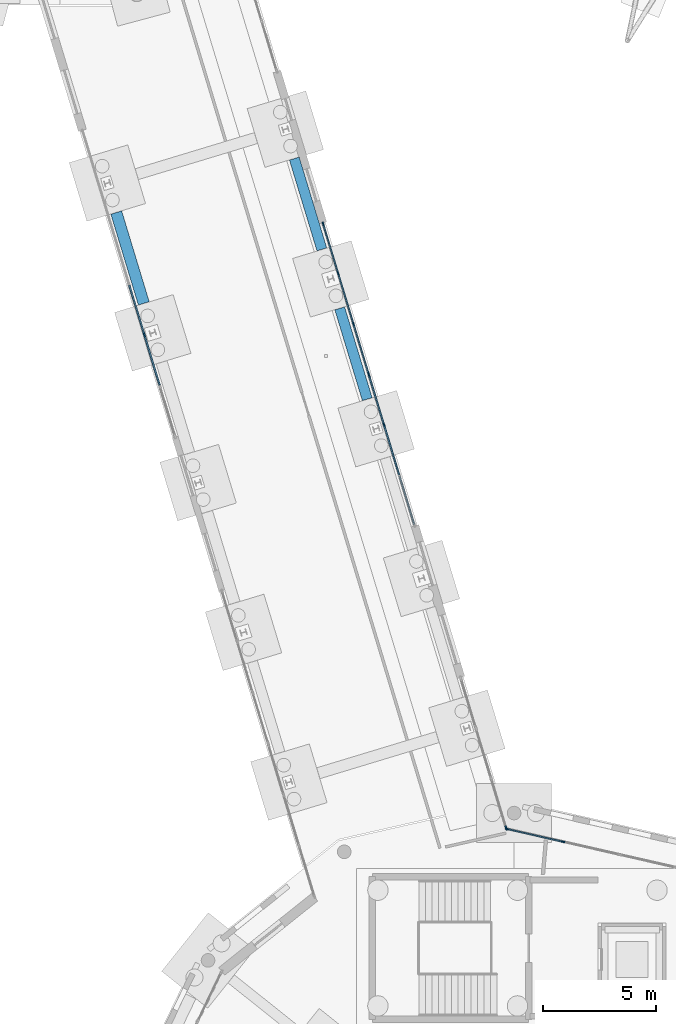
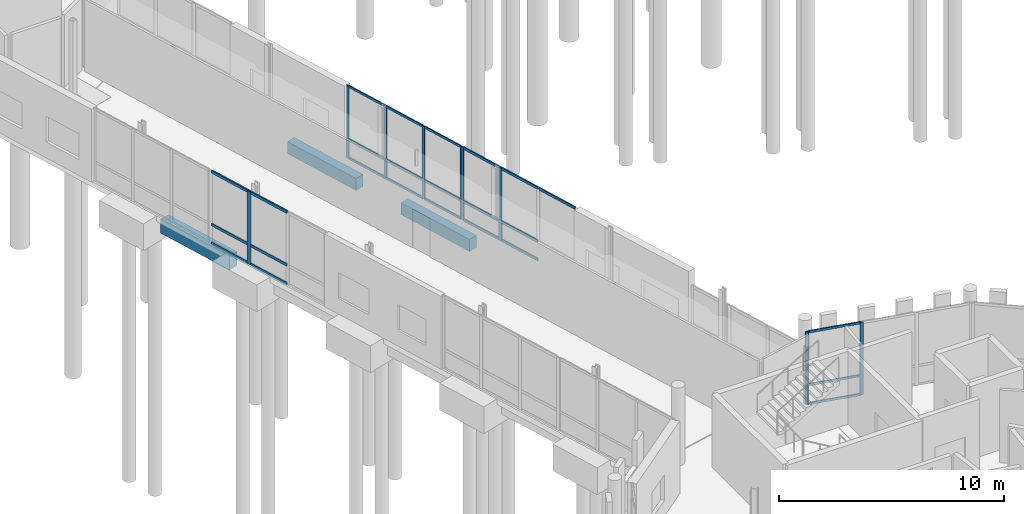
# One storey, part 33 of 113: 35 members, 3 beams, 5 elements without a shape of their own.
"""IFC4 building model written with IfcOpenShell, lengths in metres."""

from ifc_helpers import new_model, si_unit, direction, frame, origin, origin_2d, place, context, subcontext, project, spatial, rectangle, extrude, material, material_profile, profile_set, type_object, element, aggregate, save


model = new_model("IFC4")

# Units and contexts
model_context = context("Model", 3, precision=1e-05, world=origin(), true_north=direction((0.0, 1.0)))
body_context = subcontext(model_context, "Body", "Model", "MODEL_VIEW")
ifc_project = project(units=[si_unit("LENGTHUNIT", "METRE"), si_unit("AREAUNIT", "SQUARE_METRE"), si_unit("VOLUMEUNIT", "CUBIC_METRE"), si_unit("PLANEANGLEUNIT", "RADIAN"), si_unit("MASSUNIT", "GRAM", prefix="KILO")], contexts=[model_context])

# Site, building, storey
site_placement = place(None, origin())
site = spatial("IfcSite", under=ifc_project, at=site_placement, CompositionType="ELEMENT")
building_placement = place(site_placement, origin())
building = spatial("IfcBuilding", under=site, at=building_placement, Name="Wrenclough Park School", CompositionType="ELEMENT")
storey_placement = place(building_placement, origin())
storey = spatial("IfcBuildingStorey", under=building, at=storey_placement, Name="L00", CompositionType="ELEMENT", Elevation=0.0)

# Curtain wall, members
ifc_material_1 = material(Name="Thermally broken aluminium and low-e glass curtain wall", Category="aluminium")
curtain_wall_type_1 = type_object("IfcCurtainWallType", Name="ENV-CW-14", PredefinedType="USERDEFINED", material=ifc_material_1)
curtain_wall_1_placement = place(storey_placement, origin())
curtain_wall_1 = element("IfcCurtainWall", 1, at=curtain_wall_1_placement, inside=storey, type_object=curtain_wall_type_1, Name="L00 recessed curtain wall assembly 045", ObjectType="CURTAIN WALL", PredefinedType="USERDEFINED")
ifc_material_2 = material(Name="Thermally broken anodised aluminium", Category="aluminium")
ifc_material_profile_1 = material_profile(ifc_material_2, rectangle(XDim=0.06005859375, YDim=0.159912109375, at=origin_2d()), Name="AL MULLION 60x160")
ifc_profile_set_1 = profile_set([ifc_material_profile_1], Name="Thermally broken anodised aluminium")
member_type_1 = type_object("IfcMemberType", Name="ENV-CWM-1", PredefinedType="MULLION", material=ifc_profile_set_1)
member_1_placement = place(storey_placement, frame((36.1982421875, 40.0458984375, 0.0), z_axis=(0.0, 0.0, 1.0), x_axis=(0.222516036679, 0.97492902994, 0.0)))
member_1 = element("IfcMember", 2, at=member_1_placement, type_object=member_type_1, Name="CW-14 mullion 1", PredefinedType="MULLION", context=body_context, shape_type="SweptSolid", body=[
    extrude(rectangle(XDim=0.06005859375, YDim=0.159912109375, at=origin_2d()), origin(), (0.0, 0.0, 1.0), 3.93994140625),
])
member_2_placement = place(storey_placement, frame((38.6611328125, 39.483642578125, 0.0), z_axis=(0.0, 0.0, 1.0), x_axis=(0.222516036679, 0.97492902994, 0.0)))
member_2 = element("IfcMember", 3, at=member_2_placement, type_object=member_type_1, Name="CW-14 mullion 2", PredefinedType="MULLION", context=body_context, shape_type="SweptSolid", body=[
    extrude(rectangle(XDim=0.06005859375, YDim=0.159912109375, at=origin_2d()), origin(), (0.0, 0.0, 1.0), 3.93994140625),
])

curtain_wall_type_2 = type_object("IfcCurtainWallType", Name="ENV-CW-02", PredefinedType="USERDEFINED", material=ifc_material_1)
curtain_wall_2_placement = place(storey_placement, origin())
curtain_wall_2 = element("IfcCurtainWall", 4, at=curtain_wall_2_placement, inside=storey, type_object=curtain_wall_type_2, Name="L00 recessed curtain wall assembly 081", ObjectType="CURTAIN WALL", PredefinedType="USERDEFINED")
member_3_placement = place(storey_placement, frame((28.084716796875, 66.718505859375, 0.0), z_axis=(0.0, 0.0, 1.0), x_axis=(0.957030078705, 0.289988669528, 0.0)))
member_3 = element("IfcMember", 5, at=member_3_placement, type_object=member_type_1, Name="CW-02 mullion 1", PredefinedType="MULLION", context=body_context, shape_type="SweptSolid", body=[
    extrude(rectangle(XDim=0.06005859375, YDim=0.159912109375, at=origin_2d()), origin(), (0.0, 0.0, 1.0), 3.93994140625),
])
member_4_placement = place(storey_placement, frame((28.74951171875, 64.52490234375, 0.0), z_axis=(0.0, 0.0, 1.0), x_axis=(0.957030078705, 0.289988669528, 0.0)))
member_4 = element("IfcMember", 6, at=member_4_placement, type_object=member_type_1, Name="CW-02 mullion 2", PredefinedType="MULLION", context=body_context, shape_type="SweptSolid", body=[
    extrude(rectangle(XDim=0.06005859375, YDim=0.159912109375, at=origin_2d()), origin(), (0.0, 0.0, 1.0), 3.93994140625),
])
member_5_placement = place(storey_placement, frame((29.4228515625, 62.302490234375, 0.0), z_axis=(0.0, 0.0, 1.0), x_axis=(0.957030078705, 0.289988669528, 0.0)))
member_5 = element("IfcMember", 7, at=member_5_placement, type_object=member_type_1, Name="CW-02 mullion 3", PredefinedType="MULLION", context=body_context, shape_type="SweptSolid", body=[
    extrude(rectangle(XDim=0.06005859375, YDim=0.159912109375, at=origin_2d()), origin(), (0.0, 0.0, 1.0), 3.93994140625),
])
member_6_placement = place(storey_placement, frame((30.08740234375, 60.109130859375, 0.0), z_axis=(0.0, 0.0, 1.0), x_axis=(0.957030078705, 0.289988669528, 0.0)))
member_6 = element("IfcMember", 8, at=member_6_placement, type_object=member_type_1, Name="CW-02 mullion 4", PredefinedType="MULLION", context=body_context, shape_type="SweptSolid", body=[
    extrude(rectangle(XDim=0.06005859375, YDim=0.159912109375, at=origin_2d()), origin(), (0.0, 0.0, 1.0), 3.93994140625),
])

curtain_wall_type_3 = type_object("IfcCurtainWallType", Name="ENV-CW-03", PredefinedType="USERDEFINED", material=ifc_material_1)
curtain_wall_3_placement = place(storey_placement, origin())
curtain_wall_3 = element("IfcCurtainWall", 9, at=curtain_wall_3_placement, inside=storey, type_object=curtain_wall_type_3, Name="L00 recessed curtain wall assembly 082", ObjectType="CURTAIN WALL", PredefinedType="USERDEFINED")
ifc_material_profile_2 = material_profile(ifc_material_2, rectangle(XDim=0.06494140625, YDim=0.179931640625, at=origin_2d()), Name="AL MULLION 65x180")
ifc_profile_set_2 = profile_set([ifc_material_profile_2], Name="Thermally broken anodised aluminium")
member_type_2 = type_object("IfcMemberType", Name="ENV-CWM-2", PredefinedType="MULLION", material=ifc_profile_set_2)
member_7_placement = place(storey_placement, frame((30.10791015625, 60.04150390625, 0.0), z_axis=(0.0, 0.0, 1.0), x_axis=(0.957028871506, 0.289992653536, 0.0)))
member_7 = element("IfcMember", 10, at=member_7_placement, type_object=member_type_2, Name="CW-03 mullion 1", PredefinedType="MULLION", context=body_context, shape_type="SweptSolid", body=[
    extrude(rectangle(XDim=0.06494140625, YDim=0.179931640625, at=origin_2d()), origin(), (0.0, 0.0, 1.0), 3.93994140625),
])
member_8_placement = place(storey_placement, frame((30.77197265625, 57.8505859375, 0.0), z_axis=(0.0, 0.0, 1.0), x_axis=(0.957028871506, 0.289992653536, 0.0)))
member_8 = element("IfcMember", 11, at=member_8_placement, type_object=member_type_2, Name="CW-03 mullion 2", PredefinedType="MULLION", context=body_context, shape_type="SweptSolid", body=[
    extrude(rectangle(XDim=0.06494140625, YDim=0.179931640625, at=origin_2d()), origin(), (0.0, 0.0, 1.0), 3.93994140625),
])

# Curtain wall, member
curtain_wall_type_4 = type_object("IfcCurtainWallType", Name="ENV-CW-06", PredefinedType="USERDEFINED", material=ifc_material_1)
curtain_wall_4_placement = place(storey_placement, origin())
curtain_wall_4 = element("IfcCurtainWall", 12, at=curtain_wall_4_placement, inside=storey, type_object=curtain_wall_type_4, Name="L00 recessed curtain wall assembly 005", ObjectType="CURTAIN WALL", PredefinedType="USERDEFINED")
ifc_material_profile_3 = material_profile(ifc_material_2, rectangle(XDim=0.070068359375, YDim=0.199951171875, at=origin_2d()), Name="AL MULLION 70x200")
ifc_profile_set_3 = profile_set([ifc_material_profile_3], Name="Thermally broken anodised aluminium")
member_type_3 = type_object("IfcMemberType", Name="ENV-CWM-3", PredefinedType="MULLION", material=ifc_profile_set_3)
member_9_placement = place(storey_placement, frame((20.2060546875, 61.822265625, 0.0), z_axis=(0.0, 0.0, 1.0), x_axis=(-0.957030246116, -0.289988117032, 0.0)))
member_9 = element("IfcMember", 13, at=member_9_placement, type_object=member_type_3, Name="CW-06 mullion 3", PredefinedType="MULLION", context=body_context, shape_type="SweptSolid", body=[
    extrude(rectangle(XDim=0.070068359375, YDim=0.199951171875, at=origin_2d()), origin(), (0.0, 0.0, 1.0), 3.93994140625),
])

curtain_wall_type_5 = type_object("IfcCurtainWallType", Name="ENV-CW-04", PredefinedType="USERDEFINED", material=ifc_material_1)
curtain_wall_5_placement = place(storey_placement, origin())
curtain_wall_5 = element("IfcCurtainWall", 14, at=curtain_wall_5_placement, inside=storey, type_object=curtain_wall_type_5, Name="L00 recessed curtain wall assembly 083", ObjectType="CURTAIN WALL", PredefinedType="USERDEFINED")
member_10_placement = place(storey_placement, frame((36.153564453125, 40.090576171875, 0.0), z_axis=(0.0, 0.0, 1.0), x_axis=(0.957030078705, 0.289988669528, 0.0)))
member_10 = element("IfcMember", 15, at=member_10_placement, type_object=member_type_3, Name="CW-04 mullion 4", PredefinedType="MULLION", context=body_context, shape_type="SweptSolid", body=[
    extrude(rectangle(XDim=0.070068359375, YDim=0.199951171875, at=origin_2d()), origin(), (0.0, 0.0, 1.0), 3.132080078125),
])
aggregate(curtain_wall_5, [member_10])

# Member
ifc_material_profile_4 = material_profile(ifc_material_2, rectangle(XDim=0.06005859375, YDim=0.1201171875, at=origin_2d()), Name="AL TRANSOM 60x120")
ifc_profile_set_4 = profile_set([ifc_material_profile_4], Name="Thermally broken anodised aluminium")
member_type_4 = type_object("IfcMemberType", Name="ENV-CWT-1", PredefinedType="USERDEFINED", material=ifc_profile_set_4)
member_11_placement = place(storey_placement, frame((36.227294921875, 40.0390625, 0.030029296875), z_axis=(0.974948738208, -0.222429669485, 0.0), x_axis=(0.222429669485, 0.974948738208, 0.0)))
member_11 = element("IfcMember", 16, at=member_11_placement, type_object=member_type_4, Name="CW-14 transom 1.1", ObjectType="TRANSOM", PredefinedType="USERDEFINED", context=body_context, shape_type="SweptSolid", body=[
    extrude(rectangle(XDim=0.06005859375, YDim=0.1201171875, at=origin_2d()), origin(), (0.0, 0.0, 1.0), 2.46630859375),
])

member_12_placement = place(storey_placement, frame((36.227294921875, 40.0390625, 1.050048828125), z_axis=(0.974948738208, -0.222429669485, 0.0), x_axis=(0.222429669485, 0.974948738208, 0.0)))
member_12 = element("IfcMember", 17, at=member_12_placement, type_object=member_type_4, Name="CW-14 transom 1.2", ObjectType="TRANSOM", PredefinedType="USERDEFINED", context=body_context, shape_type="SweptSolid", body=[
    extrude(rectangle(XDim=0.06005859375, YDim=0.1201171875, at=origin_2d()), origin(), (0.0, 0.0, 1.0), 2.46630859375),
])

member_13_placement = place(storey_placement, frame((36.227294921875, 40.0390625, 3.909912109375), z_axis=(0.974948738208, -0.222429669485, 0.0), x_axis=(0.222429669485, 0.974948738208, 0.0)))
member_13 = element("IfcMember", 18, at=member_13_placement, type_object=member_type_4, Name="CW-14 transom 1.3", ObjectType="TRANSOM", PredefinedType="USERDEFINED", context=body_context, shape_type="SweptSolid", body=[
    extrude(rectangle(XDim=0.06005859375, YDim=0.1201171875, at=origin_2d()), origin(), (0.0, 0.0, 1.0), 2.46630859375),
])

aggregate(curtain_wall_1, [member_1, member_2, member_11, member_12, member_13])

member_14_placement = place(storey_placement, frame((28.093505859375, 66.689697265625, 0.030029296875), z_axis=(0.289955788521, -0.957040041327, 0.0), x_axis=(0.957040041327, 0.289955788521, 0.0)))
member_14 = element("IfcMember", 19, at=member_14_placement, type_object=member_type_4, Name="CW-02 transom 1.1", ObjectType="TRANSOM", PredefinedType="USERDEFINED", context=body_context, shape_type="SweptSolid", body=[
    extrude(rectangle(XDim=0.06005859375, YDim=0.1201171875, at=origin_2d()), origin(), (0.0, 0.0, 1.0), 2.232177734375),
])

member_15_placement = place(storey_placement, frame((28.093505859375, 66.689697265625, 1.050048828125), z_axis=(0.289955788521, -0.957040041327, 0.0), x_axis=(0.957040041327, 0.289955788521, 0.0)))
member_15 = element("IfcMember", 20, at=member_15_placement, type_object=member_type_4, Name="CW-02 transom 1.2", ObjectType="TRANSOM", PredefinedType="USERDEFINED", context=body_context, shape_type="SweptSolid", body=[
    extrude(rectangle(XDim=0.06005859375, YDim=0.1201171875, at=origin_2d()), origin(), (0.0, 0.0, 1.0), 2.232177734375),
])

member_16_placement = place(storey_placement, frame((28.093505859375, 66.689697265625, 3.909912109375), z_axis=(0.289955788521, -0.957040041327, 0.0), x_axis=(0.957040041327, 0.289955788521, 0.0)))
member_16 = element("IfcMember", 21, at=member_16_placement, type_object=member_type_4, Name="CW-02 transom 1.3", ObjectType="TRANSOM", PredefinedType="USERDEFINED", context=body_context, shape_type="SweptSolid", body=[
    extrude(rectangle(XDim=0.06005859375, YDim=0.1201171875, at=origin_2d()), origin(), (0.0, 0.0, 1.0), 2.232177734375),
])

member_17_placement = place(storey_placement, frame((28.758056640625, 64.49609375, 0.030029296875), z_axis=(0.290010390841, -0.957023496683, 0.0), x_axis=(0.957023496683, 0.290010390841, 0.0)))
member_17 = element("IfcMember", 22, at=member_17_placement, type_object=member_type_4, Name="CW-02 transom 2.1", ObjectType="TRANSOM", PredefinedType="USERDEFINED", context=body_context, shape_type="SweptSolid", body=[
    extrude(rectangle(XDim=0.06005859375, YDim=0.1201171875, at=origin_2d()), origin(), (0.0, 0.0, 1.0), 2.261962890625),
])

member_18_placement = place(storey_placement, frame((28.758056640625, 64.49609375, 1.050048828125), z_axis=(0.290010390841, -0.957023496683, 0.0), x_axis=(0.957023496683, 0.290010390841, 0.0)))
member_18 = element("IfcMember", 23, at=member_18_placement, type_object=member_type_4, Name="CW-02 transom 2.2", ObjectType="TRANSOM", PredefinedType="USERDEFINED", context=body_context, shape_type="SweptSolid", body=[
    extrude(rectangle(XDim=0.06005859375, YDim=0.1201171875, at=origin_2d()), origin(), (0.0, 0.0, 1.0), 2.261962890625),
])

member_19_placement = place(storey_placement, frame((28.758056640625, 64.49609375, 3.909912109375), z_axis=(0.290010390841, -0.957023496683, 0.0), x_axis=(0.957023496683, 0.290010390841, 0.0)))
member_19 = element("IfcMember", 24, at=member_19_placement, type_object=member_type_4, Name="CW-02 transom 2.3", ObjectType="TRANSOM", PredefinedType="USERDEFINED", context=body_context, shape_type="SweptSolid", body=[
    extrude(rectangle(XDim=0.06005859375, YDim=0.1201171875, at=origin_2d()), origin(), (0.0, 0.0, 1.0), 2.261962890625),
])

member_20_placement = place(storey_placement, frame((29.431640625, 62.27392578125, 0.030029296875), z_axis=(0.289955788521, -0.957040041327, 0.0), x_axis=(0.957040041327, 0.289955788521, 0.0)))
member_20 = element("IfcMember", 25, at=member_20_placement, type_object=member_type_4, Name="CW-02 transom 3.1", ObjectType="TRANSOM", PredefinedType="USERDEFINED", context=body_context, shape_type="SweptSolid", body=[
    extrude(rectangle(XDim=0.06005859375, YDim=0.1201171875, at=origin_2d()), origin(), (0.0, 0.0, 1.0), 2.232177734375),
])

member_21_placement = place(storey_placement, frame((29.431640625, 62.27392578125, 1.050048828125), z_axis=(0.289955788521, -0.957040041327, 0.0), x_axis=(0.957040041327, 0.289955788521, 0.0)))
member_21 = element("IfcMember", 26, at=member_21_placement, type_object=member_type_4, Name="CW-02 transom 3.2", ObjectType="TRANSOM", PredefinedType="USERDEFINED", context=body_context, shape_type="SweptSolid", body=[
    extrude(rectangle(XDim=0.06005859375, YDim=0.1201171875, at=origin_2d()), origin(), (0.0, 0.0, 1.0), 2.232177734375),
])

member_22_placement = place(storey_placement, frame((29.431640625, 62.27392578125, 3.909912109375), z_axis=(0.289955788521, -0.957040041327, 0.0), x_axis=(0.957040041327, 0.289955788521, 0.0)))
member_22 = element("IfcMember", 27, at=member_22_placement, type_object=member_type_4, Name="CW-02 transom 3.3", ObjectType="TRANSOM", PredefinedType="USERDEFINED", context=body_context, shape_type="SweptSolid", body=[
    extrude(rectangle(XDim=0.06005859375, YDim=0.1201171875, at=origin_2d()), origin(), (0.0, 0.0, 1.0), 2.232177734375),
])

aggregate(curtain_wall_2, [member_3, member_4, member_5, member_6, member_14, member_15, member_16, member_17, member_18, member_19, member_20, member_21, member_22])

ifc_material_profile_5 = material_profile(ifc_material_2, rectangle(XDim=0.06494140625, YDim=0.139892578125, at=origin_2d()), Name="AL TRANSOM 65x140")
ifc_profile_set_5 = profile_set([ifc_material_profile_5], Name="Thermally broken anodised aluminium")
member_type_5 = type_object("IfcMemberType", Name="ENV-CWT-2", PredefinedType="USERDEFINED", material=ifc_profile_set_5)
member_23_placement = place(storey_placement, frame((30.117431640625, 60.010498046875, 0.032470703125), z_axis=(0.289964749564, -0.957037326341, 0.0), x_axis=(0.957037326341, 0.289964749564, 0.0)))
member_23 = element("IfcMember", 28, at=member_23_placement, type_object=member_type_5, Name="CW-03 transom 1.1", ObjectType="TRANSOM", PredefinedType="USERDEFINED", context=body_context, shape_type="SweptSolid", body=[
    extrude(rectangle(XDim=0.06494140625, YDim=0.139892578125, at=origin_2d()), origin(), (0.0, 0.0, 1.0), 2.224365234375),
])

member_24_placement = place(storey_placement, frame((30.117431640625, 60.010498046875, 1.050048828125), z_axis=(0.289964749564, -0.957037326341, 0.0), x_axis=(0.957037326341, 0.289964749564, 0.0)))
member_24 = element("IfcMember", 29, at=member_24_placement, type_object=member_type_5, Name="CW-03 transom 1.2", ObjectType="TRANSOM", PredefinedType="USERDEFINED", context=body_context, shape_type="SweptSolid", body=[
    extrude(rectangle(XDim=0.06494140625, YDim=0.139892578125, at=origin_2d()), origin(), (0.0, 0.0, 1.0), 2.224365234375),
])

member_25_placement = place(storey_placement, frame((30.117431640625, 60.010498046875, 3.907470703125), z_axis=(0.289964749564, -0.957037326341, 0.0), x_axis=(0.957037326341, 0.289964749564, 0.0)))
member_25 = element("IfcMember", 30, at=member_25_placement, type_object=member_type_5, Name="CW-03 transom 1.3", ObjectType="TRANSOM", PredefinedType="USERDEFINED", context=body_context, shape_type="SweptSolid", body=[
    extrude(rectangle(XDim=0.06494140625, YDim=0.139892578125, at=origin_2d()), origin(), (0.0, 0.0, 1.0), 2.224365234375),
])

member_26_placement = place(storey_placement, frame((30.781494140625, 57.8193359375, 0.032470703125), z_axis=(0.289917321396, -0.957051694923, 0.0), x_axis=(0.957051694923, 0.289917321396, 0.0)))
member_26 = element("IfcMember", 31, at=member_26_placement, type_object=member_type_5, Name="CW-03 transom 2.1", ObjectType="TRANSOM", PredefinedType="USERDEFINED", context=body_context, shape_type="SweptSolid", body=[
    extrude(rectangle(XDim=0.06494140625, YDim=0.139892578125, at=origin_2d()), origin(), (0.0, 0.0, 1.0), 2.2568359375),
])

member_27_placement = place(storey_placement, frame((30.781494140625, 57.8193359375, 1.050048828125), z_axis=(0.289917321396, -0.957051694923, 0.0), x_axis=(0.957051694923, 0.289917321396, 0.0)))
member_27 = element("IfcMember", 32, at=member_27_placement, type_object=member_type_5, Name="CW-03 transom 2.2", ObjectType="TRANSOM", PredefinedType="USERDEFINED", context=body_context, shape_type="SweptSolid", body=[
    extrude(rectangle(XDim=0.06494140625, YDim=0.139892578125, at=origin_2d()), origin(), (0.0, 0.0, 1.0), 2.2568359375),
])

member_28_placement = place(storey_placement, frame((30.781494140625, 57.8193359375, 3.907470703125), z_axis=(0.289917321396, -0.957051694923, 0.0), x_axis=(0.957051694923, 0.289917321396, 0.0)))
member_28 = element("IfcMember", 33, at=member_28_placement, type_object=member_type_5, Name="CW-03 transom 2.3", ObjectType="TRANSOM", PredefinedType="USERDEFINED", context=body_context, shape_type="SweptSolid", body=[
    extrude(rectangle(XDim=0.06494140625, YDim=0.139892578125, at=origin_2d()), origin(), (0.0, 0.0, 1.0), 2.2568359375),
])

member_29_placement = place(storey_placement, frame((31.454833984375, 55.59716796875, 3.907470703125), z_axis=(0.289964749564, -0.957037326341, 0.0), x_axis=(0.957037326341, 0.289964749564, 0.0)))
member_29 = element("IfcMember", 34, at=member_29_placement, type_object=member_type_5, Name="CW-03 transom 3.3", ObjectType="TRANSOM", PredefinedType="USERDEFINED", context=body_context, shape_type="SweptSolid", body=[
    extrude(rectangle(XDim=0.06494140625, YDim=0.139892578125, at=origin_2d()), origin(), (0.0, 0.0, 1.0), 2.224365234375),
])

aggregate(curtain_wall_3, [member_7, member_8, member_23, member_24, member_25, member_26, member_27, member_28, member_29])

ifc_material_profile_6 = material_profile(ifc_material_2, rectangle(XDim=0.070068359375, YDim=0.14990234375, at=origin_2d()), Name="AL TRANSOM 70x150")
ifc_profile_set_6 = profile_set([ifc_material_profile_6], Name="Thermally broken anodised aluminium")
member_type_6 = type_object("IfcMemberType", Name="ENV-CWT-3", PredefinedType="USERDEFINED", material=ifc_profile_set_6)
member_30_placement = place(storey_placement, frame((20.8779296875, 59.605224609375, 0.034912109375), z_axis=(-0.290007395283, 0.957024404433, 0.0), x_axis=(-0.957024404433, -0.290007395283, 0.0)))
member_30 = element("IfcMember", 35, at=member_30_placement, type_object=member_type_6, Name="CW-06 transom 2.1", ObjectType="TRANSOM", PredefinedType="USERDEFINED", context=body_context, shape_type="SweptSolid", body=[
    extrude(rectangle(XDim=0.070068359375, YDim=0.14990234375, at=origin_2d()), origin(), (0.0, 0.0, 1.0), 2.281494140625),
])

member_31_placement = place(storey_placement, frame((20.8779296875, 59.605224609375, 1.050048828125), z_axis=(-0.290007395283, 0.957024404433, 0.0), x_axis=(-0.957024404433, -0.290007395283, 0.0)))
member_31 = element("IfcMember", 36, at=member_31_placement, type_object=member_type_6, Name="CW-06 transom 2.2", ObjectType="TRANSOM", PredefinedType="USERDEFINED", context=body_context, shape_type="SweptSolid", body=[
    extrude(rectangle(XDim=0.070068359375, YDim=0.14990234375, at=origin_2d()), origin(), (0.0, 0.0, 1.0), 2.281494140625),
])

member_32_placement = place(storey_placement, frame((20.8779296875, 59.605224609375, 3.905029296875), z_axis=(-0.290007395283, 0.957024404433, 0.0), x_axis=(-0.957024404433, -0.290007395283, 0.0)))
member_32 = element("IfcMember", 37, at=member_32_placement, type_object=member_type_6, Name="CW-06 transom 2.3", ObjectType="TRANSOM", PredefinedType="USERDEFINED", context=body_context, shape_type="SweptSolid", body=[
    extrude(rectangle(XDim=0.070068359375, YDim=0.14990234375, at=origin_2d()), origin(), (0.0, 0.0, 1.0), 2.281494140625),
])

member_33_placement = place(storey_placement, frame((20.196044921875, 61.855712890625, 0.034912109375), z_axis=(-0.290058671356, 0.95700886473, 0.0), x_axis=(-0.95700886473, -0.290058671356, 0.0)))
member_33 = element("IfcMember", 38, at=member_33_placement, type_object=member_type_6, Name="CW-06 transom 3.1", ObjectType="TRANSOM", PredefinedType="USERDEFINED", context=body_context, shape_type="SweptSolid", body=[
    extrude(rectangle(XDim=0.070068359375, YDim=0.14990234375, at=origin_2d()), origin(), (0.0, 0.0, 1.0), 2.24658203125),
])

member_34_placement = place(storey_placement, frame((20.196044921875, 61.855712890625, 1.050048828125), z_axis=(-0.290058671356, 0.95700886473, 0.0), x_axis=(-0.95700886473, -0.290058671356, 0.0)))
member_34 = element("IfcMember", 39, at=member_34_placement, type_object=member_type_6, Name="CW-06 transom 3.2", ObjectType="TRANSOM", PredefinedType="USERDEFINED", context=body_context, shape_type="SweptSolid", body=[
    extrude(rectangle(XDim=0.070068359375, YDim=0.14990234375, at=origin_2d()), origin(), (0.0, 0.0, 1.0), 2.24658203125),
])

member_35_placement = place(storey_placement, frame((20.196044921875, 61.855712890625, 3.905029296875), z_axis=(-0.290058671356, 0.95700886473, 0.0), x_axis=(-0.95700886473, -0.290058671356, 0.0)))
member_35 = element("IfcMember", 40, at=member_35_placement, type_object=member_type_6, Name="CW-06 transom 3.3", ObjectType="TRANSOM", PredefinedType="USERDEFINED", context=body_context, shape_type="SweptSolid", body=[
    extrude(rectangle(XDim=0.070068359375, YDim=0.14990234375, at=origin_2d()), origin(), (0.0, 0.0, 1.0), 2.24658203125),
])

aggregate(curtain_wall_4, [member_9, member_30, member_31, member_32, member_33, member_34, member_35])

# Beams
ifc_material_3 = material(Name="Concrete C35/45", Category="concrete")
ifc_material_profile_7 = material_profile(ifc_material_3, rectangle(XDim=0.449951171875, YDim=0.64990234375, at=origin_2d()), Name="RC GROUND 450x650")
ifc_profile_set_7 = profile_set([ifc_material_profile_7], Name="Concrete C35/45")
beam_type_1 = type_object("IfcBeamType", Name="STR-BM-GTB1", PredefinedType="USERDEFINED", material=ifc_profile_set_7)
beam_1_placement = place(storey_placement, frame((30.030029296875, 58.988525390625, -0.625), z_axis=(-0.29000415368, 0.957025386731, 0.0), x_axis=(-0.957025386731, -0.29000415368, 0.0)))
element("IfcBeam", 41, at=beam_1_placement, inside=storey, type_object=beam_type_1, Name="Reinforced concrete ground tie beam 135", ObjectType="GROUND TIE BEAM", PredefinedType="USERDEFINED", context=body_context, shape_type="SweptSolid", body=[
    extrude(rectangle(XDim=0.449951171875, YDim=0.64990234375, at=origin_2d()), origin(), (0.0, 0.0, 1.0), 4.1806640625),
])
beam_2_placement = place(storey_placement, frame((28.030029296875, 65.588623046875, -0.625), z_axis=(-0.290020362386, 0.957020474912, 0.0), x_axis=(-0.957020474912, -0.290020362386, 0.0)))
element("IfcBeam", 42, at=beam_2_placement, inside=storey, type_object=beam_type_1, Name="Reinforced concrete ground tie beam 137", ObjectType="GROUND TIE BEAM", PredefinedType="USERDEFINED", context=body_context, shape_type="SweptSolid", body=[
    extrude(rectangle(XDim=0.449951171875, YDim=0.64990234375, at=origin_2d()), origin(), (0.0, 0.0, 1.0), 4.180419921875),
])
ifc_material_profile_8 = material_profile(ifc_material_3, rectangle(XDim=0.5, YDim=0.75, at=origin_2d()), Name="RC GROUND 500x750")
ifc_profile_set_8 = profile_set([ifc_material_profile_8], Name="Concrete C35/45")
beam_type_2 = type_object("IfcBeamType", Name="STR-BM-GTB2", PredefinedType="USERDEFINED", material=ifc_profile_set_8)
beam_3_placement = place(storey_placement, frame((20.182373046875, 63.210693359375, -0.675048828125), z_axis=(-0.290020362386, 0.957020474912, 0.0), x_axis=(-0.957020474912, -0.290020362386, 0.0)))
element("IfcBeam", 43, at=beam_3_placement, inside=storey, type_object=beam_type_2, Name="Reinforced concrete ground tie beam 136", ObjectType="GROUND TIE BEAM", PredefinedType="USERDEFINED", context=body_context, shape_type="SweptSolid", body=[
    extrude(rectangle(XDim=0.5, YDim=0.75, at=origin_2d()), origin(), (0.0, 0.0, 1.0), 4.180419921875),
])

save(model, "model.ifc")
